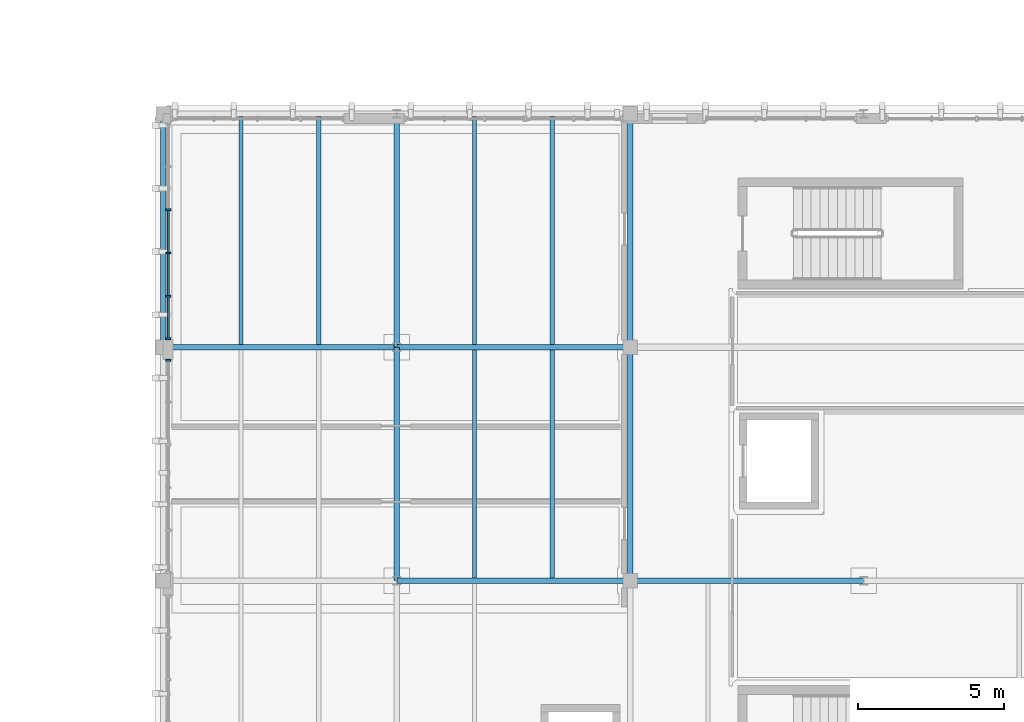
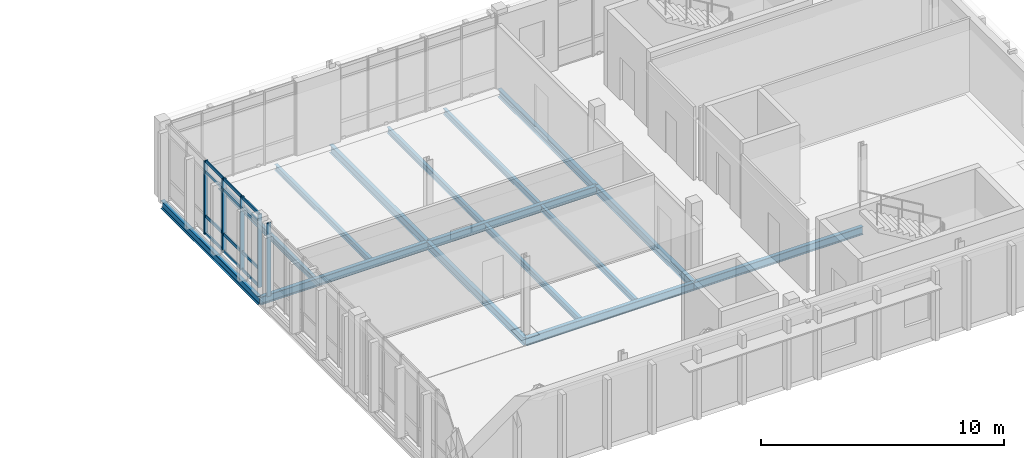
# One storey, part 8 of 40: 17 members, 15 beams, 2 elements without a shape of their own.
"""IFC4 building model written with IfcOpenShell, lengths in metres."""

from ifc_helpers import new_model, si_unit, direction, frame, origin, origin_2d, place, context, subcontext, project, spatial, rectangle, i_section, extrude, material, material_profile, profile_set, type_object, element, aggregate, save


model = new_model("IFC4")

# Units and contexts
model_context = context("Model", 3, precision=1e-05, world=origin(), true_north=direction((0.0, 1.0)))
body_context = subcontext(model_context, "Body", "Model", "MODEL_VIEW")
ifc_project = project(units=[si_unit("LENGTHUNIT", "METRE"), si_unit("AREAUNIT", "SQUARE_METRE"), si_unit("VOLUMEUNIT", "CUBIC_METRE"), si_unit("PLANEANGLEUNIT", "RADIAN"), si_unit("MASSUNIT", "GRAM", prefix="KILO")], contexts=[model_context])

# Site, building, storey
site_placement = place(None, origin())
site = spatial("IfcSite", under=ifc_project, at=site_placement, CompositionType="ELEMENT")
building_placement = place(site_placement, origin())
building = spatial("IfcBuilding", under=site, at=building_placement, Name="Cymarion Research Institute", CompositionType="ELEMENT")
storey_placement = place(building_placement, frame((0.0, 0.0, 26.699951171875)))
storey = spatial("IfcBuildingStorey", under=building, at=storey_placement, Name="L06", CompositionType="ELEMENT", Elevation=26.699951171875)

# Curtain wall, members
ifc_material_1 = material(Name="Anodised aluminium unitised curtain wall with Low-E glazing", Category="aluminium")
curtain_wall_type_1 = type_object("IfcCurtainWallType", Name="UNITISED CURTAIN WALL CW61 7420X3680", PredefinedType="NOTDEFINED", material=ifc_material_1)
curtain_wall_1_placement = place(storey_placement, origin())
curtain_wall_1 = element("IfcCurtainWall", 1, at=curtain_wall_1_placement, inside=storey, type_object=curtain_wall_type_1, Name="L06 V4 unitised curtain wall CW61 #222", PredefinedType="NOTDEFINED")
ifc_material_2 = material(Name="Anodised aluminium framing", Category="aluminium")
ifc_material_profile_1 = material_profile(ifc_material_2, rectangle(XDim=0.06005859375, YDim=0.179931640625, at=origin_2d()), Name="ALU MULLION 60x180")
ifc_profile_set_1 = profile_set([ifc_material_profile_1], Name="Anodised aluminium framing")
member_type_1 = type_object("IfcMemberType", Name="CURTAIN WALL MULLION ML01 60X180", PredefinedType="MULLION", material=ifc_profile_set_1)
member_1_placement = place(storey_placement, frame((14.77001953125, 68.210693359375, 0.0), z_axis=(0.0, 0.0, 1.0), x_axis=(0.0, -1.0, 0.0)))
member_1 = element("IfcMember", 2, at=member_1_placement, type_object=member_type_1, Name="CW61 mullion 3", PredefinedType="MULLION", context=body_context, shape_type="SweptSolid", body=[
    extrude(rectangle(XDim=0.06005859375, YDim=0.179931640625, at=origin_2d()), origin(), (0.0, 0.0, 1.0), 3.679931640625),
])
member_2_placement = place(storey_placement, frame((14.77001953125, 66.727294921875, 0.0), z_axis=(0.0, 0.0, 1.0), x_axis=(0.0, -1.0, 0.0)))
member_2 = element("IfcMember", 3, at=member_2_placement, type_object=member_type_1, Name="CW61 mullion 4", PredefinedType="MULLION", context=body_context, shape_type="SweptSolid", body=[
    extrude(rectangle(XDim=0.06005859375, YDim=0.179931640625, at=origin_2d()), origin(), (0.0, 0.0, 1.0), 3.679931640625),
])
member_3_placement = place(storey_placement, frame((14.77001953125, 65.24365234375, 0.0), z_axis=(0.0, 0.0, 1.0), x_axis=(0.0, -1.0, 0.0)))
member_3 = element("IfcMember", 4, at=member_3_placement, type_object=member_type_1, Name="CW61 mullion 5", PredefinedType="MULLION", context=body_context, shape_type="SweptSolid", body=[
    extrude(rectangle(XDim=0.06005859375, YDim=0.179931640625, at=origin_2d()), origin(), (0.0, 0.0, 1.0), 3.679931640625),
])
member_4_placement = place(storey_placement, frame((14.77001953125, 63.7900390625, 0.0), z_axis=(0.0, 0.0, 1.0), x_axis=(0.0, -1.0, 0.0)))
member_4 = element("IfcMember", 5, at=member_4_placement, type_object=member_type_1, Name="CW61 mullion 6", PredefinedType="MULLION", context=body_context, shape_type="SweptSolid", body=[
    extrude(rectangle(XDim=0.06005859375, YDim=0.179931640625, at=origin_2d()), origin(), (0.0, 0.0, 1.0), 3.679931640625),
])

# Curtain wall, member
curtain_wall_type_2 = type_object("IfcCurtainWallType", Name="UNITISED CURTAIN WALL CW62 7330X3680", PredefinedType="NOTDEFINED", material=ifc_material_1)
curtain_wall_2_placement = place(storey_placement, origin())
curtain_wall_2 = element("IfcCurtainWall", 6, at=curtain_wall_2_placement, inside=storey, type_object=curtain_wall_type_2, Name="L06 V4 unitised curtain wall CW62 #223", PredefinedType="NOTDEFINED")
member_5_placement = place(storey_placement, frame((14.77001953125, 63.055419921875, 0.0), z_axis=(0.0, 0.0, 1.0), x_axis=(0.0, -1.0, 0.0)))
member_5 = element("IfcMember", 7, at=member_5_placement, type_object=member_type_1, Name="CW62 mullion 1", PredefinedType="MULLION", context=body_context, shape_type="SweptSolid", body=[
    extrude(rectangle(XDim=0.06005859375, YDim=0.179931640625, at=origin_2d()), origin(), (0.0, 0.0, 1.0), 3.679931640625),
])
aggregate(curtain_wall_2, [member_5])

# Member
ifc_material_profile_2 = material_profile(ifc_material_2, rectangle(XDim=0.06005859375, YDim=0.14990234375, at=origin_2d()), Name="ALU TRANSOM 60x150")
ifc_profile_set_2 = profile_set([ifc_material_profile_2], Name="Anodised aluminium framing")
member_type_2 = type_object("IfcMemberType", Name="CURTAIN WALL TRANSOM TR01 60X150", PredefinedType="USERDEFINED", material=ifc_profile_set_2)
member_6_placement = place(storey_placement, frame((14.77001953125, 68.180908203125, 0.030029296875), z_axis=(0.0, -1.0, 0.0), x_axis=(1.0, 0.0, 0.0)))
member_6 = element("IfcMember", 8, at=member_6_placement, type_object=member_type_2, Name="CW61 transom 3.1", ObjectType="TRANSOM", PredefinedType="USERDEFINED", context=body_context, shape_type="SweptSolid", body=[
    extrude(rectangle(XDim=0.06005859375, YDim=0.14990234375, at=origin_2d()), origin(), (0.0, 0.0, 1.0), 1.423828125),
])

member_7_placement = place(storey_placement, frame((14.77001953125, 68.180908203125, 0.900146484375), z_axis=(0.0, -1.0, 0.0), x_axis=(1.0, 0.0, 0.0)))
member_7 = element("IfcMember", 9, at=member_7_placement, type_object=member_type_2, Name="CW61 transom 3.2", ObjectType="TRANSOM", PredefinedType="USERDEFINED", context=body_context, shape_type="SweptSolid", body=[
    extrude(rectangle(XDim=0.06005859375, YDim=0.14990234375, at=origin_2d()), origin(), (0.0, 0.0, 1.0), 1.423828125),
])

member_8_placement = place(storey_placement, frame((14.77001953125, 68.180908203125, 3.130126953125), z_axis=(0.0, -1.0, 0.0), x_axis=(1.0, 0.0, 0.0)))
member_8 = element("IfcMember", 10, at=member_8_placement, type_object=member_type_2, Name="CW61 transom 3.3", ObjectType="TRANSOM", PredefinedType="USERDEFINED", context=body_context, shape_type="SweptSolid", body=[
    extrude(rectangle(XDim=0.06005859375, YDim=0.14990234375, at=origin_2d()), origin(), (0.0, 0.0, 1.0), 1.423828125),
])

member_9_placement = place(storey_placement, frame((14.77001953125, 68.180908203125, 3.650146484375), z_axis=(0.0, -1.0, 0.0), x_axis=(1.0, 0.0, 0.0)))
member_9 = element("IfcMember", 11, at=member_9_placement, type_object=member_type_2, Name="CW61 transom 3.4", ObjectType="TRANSOM", PredefinedType="USERDEFINED", context=body_context, shape_type="SweptSolid", body=[
    extrude(rectangle(XDim=0.06005859375, YDim=0.14990234375, at=origin_2d()), origin(), (0.0, 0.0, 1.0), 1.423828125),
])

member_10_placement = place(storey_placement, frame((14.77001953125, 66.697265625, 0.030029296875), z_axis=(0.0, -1.0, 0.0), x_axis=(1.0, 0.0, 0.0)))
member_10 = element("IfcMember", 12, at=member_10_placement, type_object=member_type_2, Name="CW61 transom 4.1", ObjectType="TRANSOM", PredefinedType="USERDEFINED", context=body_context, shape_type="SweptSolid", body=[
    extrude(rectangle(XDim=0.06005859375, YDim=0.14990234375, at=origin_2d()), origin(), (0.0, 0.0, 1.0), 1.423583984375),
])

member_11_placement = place(storey_placement, frame((14.77001953125, 66.697265625, 0.900146484375), z_axis=(0.0, -1.0, 0.0), x_axis=(1.0, 0.0, 0.0)))
member_11 = element("IfcMember", 13, at=member_11_placement, type_object=member_type_2, Name="CW61 transom 4.2", ObjectType="TRANSOM", PredefinedType="USERDEFINED", context=body_context, shape_type="SweptSolid", body=[
    extrude(rectangle(XDim=0.06005859375, YDim=0.14990234375, at=origin_2d()), origin(), (0.0, 0.0, 1.0), 1.423583984375),
])

member_12_placement = place(storey_placement, frame((14.77001953125, 66.697265625, 3.130126953125), z_axis=(0.0, -1.0, 0.0), x_axis=(1.0, 0.0, 0.0)))
member_12 = element("IfcMember", 14, at=member_12_placement, type_object=member_type_2, Name="CW61 transom 4.3", ObjectType="TRANSOM", PredefinedType="USERDEFINED", context=body_context, shape_type="SweptSolid", body=[
    extrude(rectangle(XDim=0.06005859375, YDim=0.14990234375, at=origin_2d()), origin(), (0.0, 0.0, 1.0), 1.423583984375),
])

member_13_placement = place(storey_placement, frame((14.77001953125, 66.697265625, 3.650146484375), z_axis=(0.0, -1.0, 0.0), x_axis=(1.0, 0.0, 0.0)))
member_13 = element("IfcMember", 15, at=member_13_placement, type_object=member_type_2, Name="CW61 transom 4.4", ObjectType="TRANSOM", PredefinedType="USERDEFINED", context=body_context, shape_type="SweptSolid", body=[
    extrude(rectangle(XDim=0.06005859375, YDim=0.14990234375, at=origin_2d()), origin(), (0.0, 0.0, 1.0), 1.423583984375),
])

member_14_placement = place(storey_placement, frame((14.77001953125, 65.213623046875, 0.030029296875), z_axis=(0.0, -1.0, 0.0), x_axis=(1.0, 0.0, 0.0)))
member_14 = element("IfcMember", 16, at=member_14_placement, type_object=member_type_2, Name="CW61 transom 5.1", ObjectType="TRANSOM", PredefinedType="USERDEFINED", context=body_context, shape_type="SweptSolid", body=[
    extrude(rectangle(XDim=0.06005859375, YDim=0.14990234375, at=origin_2d()), origin(), (0.0, 0.0, 1.0), 1.3935546875),
])

member_15_placement = place(storey_placement, frame((14.77001953125, 65.213623046875, 0.900146484375), z_axis=(0.0, -1.0, 0.0), x_axis=(1.0, 0.0, 0.0)))
member_15 = element("IfcMember", 17, at=member_15_placement, type_object=member_type_2, Name="CW61 transom 5.2", ObjectType="TRANSOM", PredefinedType="USERDEFINED", context=body_context, shape_type="SweptSolid", body=[
    extrude(rectangle(XDim=0.06005859375, YDim=0.14990234375, at=origin_2d()), origin(), (0.0, 0.0, 1.0), 1.3935546875),
])

member_16_placement = place(storey_placement, frame((14.77001953125, 65.213623046875, 3.130126953125), z_axis=(0.0, -1.0, 0.0), x_axis=(1.0, 0.0, 0.0)))
member_16 = element("IfcMember", 18, at=member_16_placement, type_object=member_type_2, Name="CW61 transom 5.3", ObjectType="TRANSOM", PredefinedType="USERDEFINED", context=body_context, shape_type="SweptSolid", body=[
    extrude(rectangle(XDim=0.06005859375, YDim=0.14990234375, at=origin_2d()), origin(), (0.0, 0.0, 1.0), 1.3935546875),
])

member_17_placement = place(storey_placement, frame((14.77001953125, 65.213623046875, 3.650146484375), z_axis=(0.0, -1.0, 0.0), x_axis=(1.0, 0.0, 0.0)))
member_17 = element("IfcMember", 19, at=member_17_placement, type_object=member_type_2, Name="CW61 transom 5.4", ObjectType="TRANSOM", PredefinedType="USERDEFINED", context=body_context, shape_type="SweptSolid", body=[
    extrude(rectangle(XDim=0.06005859375, YDim=0.14990234375, at=origin_2d()), origin(), (0.0, 0.0, 1.0), 1.3935546875),
])

aggregate(curtain_wall_1, [member_1, member_2, member_3, member_4, member_6, member_7, member_8, member_9, member_10, member_11, member_12, member_13, member_14, member_15, member_16, member_17])

# Beams
ifc_material_3 = material(Name="Steel S355", Category="steel")
ifc_material_profile_3 = material_profile(ifc_material_3, i_section(OverallWidth=0.179931640625, OverallDepth=0.39990234375, WebThickness=0.008544921875, FlangeThickness=0.013427734375, FilletRadius=0.02099609375, at=origin_2d()), Name="IPE 400")
ifc_profile_set_3 = profile_set([ifc_material_profile_3], Name="Steel S355")
beam_type_1 = type_object("IfcBeamType", Name="PRIMARY GIRDER BM05 IPE 400", PredefinedType="BEAM", material=ifc_profile_set_3)
for number, where, z_axis, x_axis, name in (
    (20, (22.60595703125, 55.5, -0.419921875), (1.0, 0.0, 0.0), (0.0, 1.0, 0.0), "L06 V4 girder BM05 #2103"),
    (21, (30.60595703125, 55.5, -0.419921875), (1.0, 0.0, 0.0), (0.0, 1.0, 0.0), "L06 V4 girder BM05 #2104"),
    (22, (14.60595703125, 63.5, -0.419921875), (1.0, 0.0, 0.0), (0.0, 1.0, 0.0), "L06 V4 girder BM05 #2106"),
    (23, (22.60595703125, 63.5, -0.419921875), (1.0, 0.0, 0.0), (0.0, 1.0, 0.0), "L06 V4 girder BM05 #2107"),
):
    element("IfcBeam", number, at=place(storey_placement, frame(where, z_axis=z_axis, x_axis=x_axis)), inside=storey, type_object=beam_type_1, Name=name, PredefinedType="BEAM", context=body_context, shape_type="SweptSolid", body=[
        extrude(i_section(OverallWidth=0.179931640625, OverallDepth=0.39990234375, WebThickness=0.008544921875, FlangeThickness=0.013427734375, FilletRadius=0.02099609375, at=origin_2d()), origin(), (0.0, 0.0, 1.0), 7.988037109375),
    ])
for number, where, z_axis, x_axis, name in (
    (24, (14.60009765625, 63.506103515625, -0.419921875), (0.0, 1.0, 0.0), (-1.0, 0.0, 0.0), "L06 V4 girder BM05 #2114"),
    (25, (22.60009765625, 55.506103515625, -0.419921875), (0.0, 1.0, 0.0), (-1.0, 0.0, 0.0), "L06 V4 girder BM05 #2116"),
    (26, (22.60009765625, 63.506103515625, -0.419921875), (0.0, 1.0, 0.0), (-1.0, 0.0, 0.0), "L06 V4 girder BM05 #2117"),
    (27, (30.60009765625, 55.506103515625, -0.419921875), (0.0, 1.0, 0.0), (-1.0, 0.0, 0.0), "L06 V4 girder BM05 #2119"),
    (28, (30.60009765625, 63.506103515625, -0.419921875), (0.0, 1.0, 0.0), (-1.0, 0.0, 0.0), "L06 V4 girder BM05 #2120"),
):
    element("IfcBeam", number, at=place(storey_placement, frame(where, z_axis=z_axis, x_axis=x_axis)), inside=storey, type_object=beam_type_1, Name=name, PredefinedType="BEAM", context=body_context, shape_type="SweptSolid", body=[
        extrude(i_section(OverallWidth=0.179931640625, OverallDepth=0.39990234375, WebThickness=0.008544921875, FlangeThickness=0.013427734375, FilletRadius=0.02099609375, at=origin_2d()), origin(), (0.0, 0.0, 1.0), 7.98779296875),
    ])
ifc_material_profile_4 = material_profile(ifc_material_3, i_section(OverallWidth=0.14990234375, OverallDepth=0.300048828125, WebThickness=0.007080078125, FlangeThickness=0.0107421875, FilletRadius=0.014892578125, at=origin_2d()), Name="IPE 300")
ifc_profile_set_4 = profile_set([ifc_material_profile_4], Name="Steel S355")
beam_type_2 = type_object("IfcBeamType", Name="SECONDARY JOIST JS02 IPE 300", PredefinedType="JOIST", material=ifc_profile_set_4)
for number, where, z_axis, x_axis, name in (
    (29, (25.2666015625, 55.593994140625, -0.369873046875), (0.0, 1.0, 0.0), (-1.0, 0.0, 0.0), "L06 V4 secondary joist JS02 #2130"),
    (30, (27.933349609375, 55.593994140625, -0.369873046875), (0.0, 1.0, 0.0), (-1.0, 0.0, 0.0), "L06 V4 secondary joist JS02 #2131"),
    (31, (17.2666015625, 63.593994140625, -0.369873046875), (0.0, 1.0, 0.0), (-1.0, 0.0, 0.0), "L06 V4 secondary joist JS02 #2132"),
    (32, (19.933349609375, 63.593994140625, -0.369873046875), (0.0, 1.0, 0.0), (-1.0, 0.0, 0.0), "L06 V4 secondary joist JS02 #2133"),
    (33, (25.2666015625, 63.593994140625, -0.369873046875), (0.0, 1.0, 0.0), (-1.0, 0.0, 0.0), "L06 V4 secondary joist JS02 #2134"),
    (34, (27.933349609375, 63.593994140625, -0.369873046875), (0.0, 1.0, 0.0), (-1.0, 0.0, 0.0), "L06 V4 secondary joist JS02 #2135"),
):
    element("IfcBeam", number, at=place(storey_placement, frame(where, z_axis=z_axis, x_axis=x_axis)), inside=storey, type_object=beam_type_2, Name=name, PredefinedType="JOIST", context=body_context, shape_type="SweptSolid", body=[
        extrude(i_section(OverallWidth=0.14990234375, OverallDepth=0.300048828125, WebThickness=0.007080078125, FlangeThickness=0.0107421875, FilletRadius=0.014892578125, at=origin_2d()), origin(), (0.0, 0.0, 1.0), 7.81201171875),
    ])

save(model, "model.ifc")
